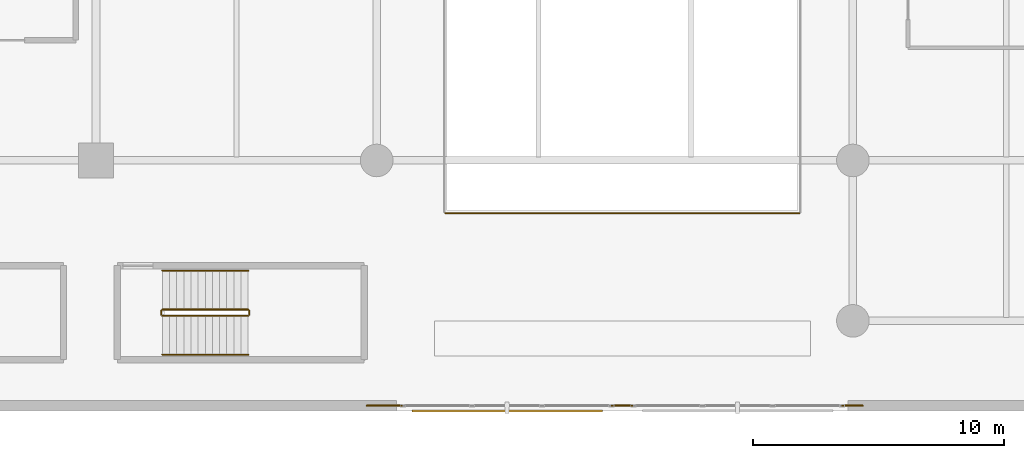
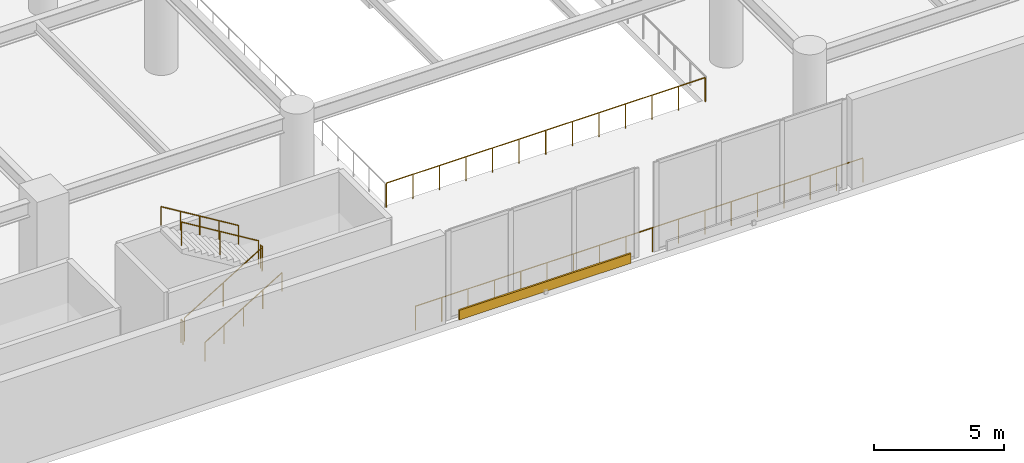
# One storey, part 25 of 32: 8 railings, 1 shading device.
"""IFC4 building model written with IfcOpenShell, lengths in metres."""

from ifc_helpers import new_model, si_unit, direction, frame, origin, origin_2d, place, context, subcontext, project, spatial, rectangle, circle, extrude, material, layer, layer_set, type_object, element, save


model = new_model("IFC4")

# Units and contexts
model_context = context("Model", 3, precision=1e-05, world=origin(), true_north=direction((0.0, 1.0)))
body_context = subcontext(model_context, "Body", "Model", "MODEL_VIEW")
ifc_project = project(units=[si_unit("LENGTHUNIT", "METRE"), si_unit("AREAUNIT", "SQUARE_METRE"), si_unit("VOLUMEUNIT", "CUBIC_METRE"), si_unit("PLANEANGLEUNIT", "RADIAN"), si_unit("MASSUNIT", "GRAM", prefix="KILO")], contexts=[model_context])

# Site, building, storey
site_placement = place(None, origin())
site = spatial("IfcSite", under=ifc_project, at=site_placement, CompositionType="ELEMENT")
building_placement = place(site_placement, origin())
building = spatial("IfcBuilding", under=site, at=building_placement, Name="Narakoshi Arena Tower", CompositionType="ELEMENT")
storey_placement = place(building_placement, frame((0.0, 0.0, 4.5)))
storey = spatial("IfcBuildingStorey", under=building, at=storey_placement, Name="L01", CompositionType="ELEMENT", Elevation=4.5)

# Railings
ifc_material_1 = material(Name="Clear low-iron laminated structural glass", Category="glass")
railing_type_1 = type_object("IfcRailingType", Name="RL-BAL-1100", PredefinedType="BALUSTRADE", material=ifc_material_1)
railing_1_placement = place(storey_placement, frame((42.64990234375, 3.800048828125, 0.173095703125)))
element("IfcRailing", 1, at=railing_1_placement, inside=storey, type_object=railing_type_1, Name="L01 AST4 stair guard 1", PredefinedType="BALUSTRADE", context=body_context, shape_type="SweptSolid", body=[
    extrude(circle(Radius=0.02392578125, at=origin_2d()), frame((0.0, 0.0, 1.09619140625), z_axis=(0.854745945586, 0.0, 0.519046595696), x_axis=(0.0, 1.0, 0.0)), (0.0, 0.0, 1.0), 4.00146484375),
    extrude(circle(Radius=0.02099609375, at=origin_2d()), origin(), (0.0, 0.0, 1.0), 1.072021484375),
    extrude(circle(Radius=0.02099609375, at=origin_2d()), frame((1.7099609375, 0.0, 1.03857421875)), (0.0, 0.0, 1.0), 1.072021484375),
    extrude(circle(Radius=0.02099609375, at=origin_2d()), frame((3.420166015625, 0.0, 2.076904296875)), (0.0, 0.0, 1.0), 1.072021484375),
])
railing_2_placement = place(storey_placement, frame((46.1201171875, 3.85009765625, 2.25)))
element("IfcRailing", 2, at=railing_2_placement, inside=storey, type_object=railing_type_1, Name="L01 AST4 stair guard 2", PredefinedType="BALUSTRADE", context=body_context, shape_type="SweptSolid", body=[
    extrude(circle(Radius=0.02392578125, at=origin_2d()), frame((0.0, 0.0, 1.09619140625), z_axis=(0.0, 1.0, 0.0), x_axis=(-1.0, 0.0, 0.0)), (0.0, 0.0, 1.0), 0.14990234375),
    extrude(circle(Radius=0.02099609375, at=origin_2d()), origin(), (0.0, 0.0, 1.0), 1.072021484375),
    extrude(circle(Radius=0.02099609375, at=origin_2d()), frame((0.0, 0.14990234375, 0.0)), (0.0, 0.0, 1.0), 1.072021484375),
])
railing_3_placement = place(storey_placement, frame((46.070068359375, 4.050048828125, 2.423095703125)))
element("IfcRailing", 3, at=railing_3_placement, inside=storey, type_object=railing_type_1, Name="L01 AST4 stair guard 3", PredefinedType="BALUSTRADE", context=body_context, shape_type="SweptSolid", body=[
    extrude(circle(Radius=0.02392578125, at=origin_2d()), frame((0.0, 0.0, 1.09619140625), z_axis=(-0.854745945586, 0.0, 0.519046595696), x_axis=(0.0, -1.0, 0.0)), (0.0, 0.0, 1.0), 4.00146484375),
    extrude(circle(Radius=0.02099609375, at=origin_2d()), origin(), (0.0, 0.0, 1.0), 1.072021484375),
    extrude(circle(Radius=0.02099609375, at=origin_2d()), frame((-1.7099609375, 0.0, 1.03857421875)), (0.0, 0.0, 1.0), 1.072021484375),
    extrude(circle(Radius=0.02099609375, at=origin_2d()), frame((-3.420166015625, 0.0, 2.076904296875)), (0.0, 0.0, 1.0), 1.072021484375),
])
railing_4_placement = place(storey_placement, frame((42.60009765625, 3.85009765625, 0.0)))
element("IfcRailing", 4, at=railing_4_placement, inside=storey, type_object=railing_type_1, Name="L01 AST4 stair guard 4", PredefinedType="BALUSTRADE", context=body_context, shape_type="SweptSolid", body=[
    extrude(circle(Radius=0.02392578125, at=origin_2d()), frame((0.0, 0.0, 1.09619140625), z_axis=(0.0, 1.0, 0.0), x_axis=(-1.0, 0.0, 0.0)), (0.0, 0.0, 1.0), 0.14990234375),
    extrude(circle(Radius=0.02099609375, at=origin_2d()), origin(), (0.0, 0.0, 1.0), 1.072021484375),
    extrude(circle(Radius=0.02099609375, at=origin_2d()), frame((0.0, 0.14990234375, 0.0)), (0.0, 0.0, 1.0), 1.072021484375),
])
ifc_material_2 = material(Name="Brushed bronze stainless steel", Category="steel")
railing_type_2 = type_object("IfcRailingType", Name="RL-GRD-1150", PredefinedType="GUARDRAIL", material=ifc_material_2)
railing_5_placement = place(storey_placement, frame((50.800048828125, 0.219970703125, 0.0)))
element("IfcRailing", 5, at=railing_5_placement, inside=storey, type_object=railing_type_2, Name="L01 Concourse Portal Sill Guardrail PS", PredefinedType="GUARDRAIL", context=body_context, shape_type="SweptSolid", body=[
    extrude(circle(Radius=0.02392578125, at=origin_2d()), frame((0.0, 0.0, 1.1259765625), z_axis=(1.0, 0.0, 0.0), x_axis=(0.0, 1.0, 0.0)), (0.0, 0.0, 1.0), 19.800048828125),
    extrude(circle(Radius=0.02099609375, at=origin_2d()), origin(), (0.0, 0.0, 1.0), 1.101806640625),
    extrude(circle(Radius=0.02099609375, at=origin_2d()), frame((1.164794921875, 0.0, 0.0)), (0.0, 0.0, 1.0), 1.101806640625),
    extrude(circle(Radius=0.02099609375, at=origin_2d()), frame((2.329345703125, 0.0, 0.0)), (0.0, 0.0, 1.0), 1.101806640625),
    extrude(circle(Radius=0.02099609375, at=origin_2d()), frame((3.494140625, 0.0, 0.0)), (0.0, 0.0, 1.0), 1.101806640625),
    extrude(circle(Radius=0.02099609375, at=origin_2d()), frame((4.658935546875, 0.0, 0.0)), (0.0, 0.0, 1.0), 1.101806640625),
    extrude(circle(Radius=0.02099609375, at=origin_2d()), frame((5.823486328125, 0.0, 0.0)), (0.0, 0.0, 1.0), 1.101806640625),
    extrude(circle(Radius=0.02099609375, at=origin_2d()), frame((6.98828125, 0.0, 0.0)), (0.0, 0.0, 1.0), 1.101806640625),
    extrude(circle(Radius=0.02099609375, at=origin_2d()), frame((8.153076171875, 0.0, 0.0)), (0.0, 0.0, 1.0), 1.101806640625),
    extrude(circle(Radius=0.02099609375, at=origin_2d()), frame((9.317626953125, 0.0, 0.0)), (0.0, 0.0, 1.0), 1.101806640625),
    extrude(circle(Radius=0.02099609375, at=origin_2d()), frame((10.482421875, 0.0, 0.0)), (0.0, 0.0, 1.0), 1.101806640625),
    extrude(circle(Radius=0.02099609375, at=origin_2d()), frame((11.64697265625, 0.0, 0.0)), (0.0, 0.0, 1.0), 1.101806640625),
    extrude(circle(Radius=0.02099609375, at=origin_2d()), frame((12.811767578125, 0.0, 0.0)), (0.0, 0.0, 1.0), 1.101806640625),
    extrude(circle(Radius=0.02099609375, at=origin_2d()), frame((13.9765625, 0.0, 0.0)), (0.0, 0.0, 1.0), 1.101806640625),
    extrude(circle(Radius=0.02099609375, at=origin_2d()), frame((15.14111328125, 0.0, 0.0)), (0.0, 0.0, 1.0), 1.101806640625),
    extrude(circle(Radius=0.02099609375, at=origin_2d()), frame((16.305908203125, 0.0, 0.0)), (0.0, 0.0, 1.0), 1.101806640625),
    extrude(circle(Radius=0.02099609375, at=origin_2d()), frame((17.470703125, 0.0, 0.0)), (0.0, 0.0, 1.0), 1.101806640625),
    extrude(circle(Radius=0.02099609375, at=origin_2d()), frame((18.63525390625, 0.0, 0.0)), (0.0, 0.0, 1.0), 1.101806640625),
    extrude(circle(Radius=0.02099609375, at=origin_2d()), frame((19.800048828125, 0.0, 0.0)), (0.0, 0.0, 1.0), 1.101806640625),
])
railing_6_placement = place(storey_placement, frame((53.93994140625, 7.89990234375, 0.0)))
element("IfcRailing", 6, at=railing_6_placement, inside=storey, type_object=railing_type_2, Name="L01 Upper Street Concourse Gallery Void Guardrail 1", PredefinedType="GUARDRAIL", context=body_context, shape_type="SweptSolid", body=[
    extrude(circle(Radius=0.02392578125, at=origin_2d()), frame((0.0, 0.0, 1.1259765625), z_axis=(1.0, 0.0, 0.0), x_axis=(0.0, 1.0, 0.0)), (0.0, 0.0, 1.0), 14.1201171875),
    extrude(circle(Radius=0.02099609375, at=origin_2d()), origin(), (0.0, 0.0, 1.0), 1.101806640625),
    extrude(circle(Radius=0.02099609375, at=origin_2d()), frame((1.1767578125, 0.0, 0.0)), (0.0, 0.0, 1.0), 1.101806640625),
    extrude(circle(Radius=0.02099609375, at=origin_2d()), frame((2.353271484375, 0.0, 0.0)), (0.0, 0.0, 1.0), 1.101806640625),
    extrude(circle(Radius=0.02099609375, at=origin_2d()), frame((3.530029296875, 0.0, 0.0)), (0.0, 0.0, 1.0), 1.101806640625),
    extrude(circle(Radius=0.02099609375, at=origin_2d()), frame((4.706787109375, 0.0, 0.0)), (0.0, 0.0, 1.0), 1.101806640625),
    extrude(circle(Radius=0.02099609375, at=origin_2d()), frame((5.88330078125, 0.0, 0.0)), (0.0, 0.0, 1.0), 1.101806640625),
    extrude(circle(Radius=0.02099609375, at=origin_2d()), frame((7.06005859375, 0.0, 0.0)), (0.0, 0.0, 1.0), 1.101806640625),
    extrude(circle(Radius=0.02099609375, at=origin_2d()), frame((8.23681640625, 0.0, 0.0)), (0.0, 0.0, 1.0), 1.101806640625),
    extrude(circle(Radius=0.02099609375, at=origin_2d()), frame((9.413330078125, 0.0, 0.0)), (0.0, 0.0, 1.0), 1.101806640625),
    extrude(circle(Radius=0.02099609375, at=origin_2d()), frame((10.590087890625, 0.0, 0.0)), (0.0, 0.0, 1.0), 1.101806640625),
    extrude(circle(Radius=0.02099609375, at=origin_2d()), frame((11.766845703125, 0.0, 0.0)), (0.0, 0.0, 1.0), 1.101806640625),
    extrude(circle(Radius=0.02099609375, at=origin_2d()), frame((12.943359375, 0.0, 0.0)), (0.0, 0.0, 1.0), 1.101806640625),
    extrude(circle(Radius=0.02099609375, at=origin_2d()), frame((14.1201171875, 0.0, 0.0)), (0.0, 0.0, 1.0), 1.101806640625),
])
railing_type_3 = type_object("IfcRailingType", Name="RL-HND-900", PredefinedType="HANDRAIL", material=ifc_material_2)
railing_7_placement = place(storey_placement, frame((42.64990234375, 2.25, 0.173095703125)))
element("IfcRailing", 7, at=railing_7_placement, inside=storey, type_object=railing_type_3, Name="L01 AST4 stair handrail 1", PredefinedType="HANDRAIL", context=body_context, shape_type="SweptSolid", body=[
    extrude(circle(Radius=0.02392578125, at=origin_2d()), frame((0.0, 0.0, 0.8759765625), z_axis=(0.854745945586, 0.0, 0.519046595696), x_axis=(0.0, 1.0, 0.0)), (0.0, 0.0, 1.0), 4.00146484375),
    extrude(circle(Radius=0.02099609375, at=origin_2d()), origin(), (0.0, 0.0, 1.0), 0.851806640625),
    extrude(circle(Radius=0.02099609375, at=origin_2d()), frame((0.85498046875, 0.0, 0.519287109375)), (0.0, 0.0, 1.0), 0.851806640625),
    extrude(circle(Radius=0.02099609375, at=origin_2d()), frame((1.7099609375, 0.0, 1.03857421875)), (0.0, 0.0, 1.0), 0.851806640625),
    extrude(circle(Radius=0.02099609375, at=origin_2d()), frame((2.565185546875, 0.0, 1.5576171875)), (0.0, 0.0, 1.0), 0.851806640625),
    extrude(circle(Radius=0.02099609375, at=origin_2d()), frame((3.420166015625, 0.0, 2.076904296875)), (0.0, 0.0, 1.0), 0.851806640625),
])
railing_8_placement = place(storey_placement, frame((46.070068359375, 5.60009765625, 2.423095703125)))
element("IfcRailing", 8, at=railing_8_placement, inside=storey, type_object=railing_type_3, Name="L01 AST4 stair handrail 2", PredefinedType="HANDRAIL", context=body_context, shape_type="SweptSolid", body=[
    extrude(circle(Radius=0.02392578125, at=origin_2d()), frame((0.0, 0.0, 0.8759765625), z_axis=(-0.854745945586, 0.0, 0.519046595696), x_axis=(0.0, -1.0, 0.0)), (0.0, 0.0, 1.0), 4.00146484375),
    extrude(circle(Radius=0.02099609375, at=origin_2d()), origin(), (0.0, 0.0, 1.0), 0.851806640625),
    extrude(circle(Radius=0.02099609375, at=origin_2d()), frame((-0.85498046875, 0.0, 0.519287109375)), (0.0, 0.0, 1.0), 0.851806640625),
    extrude(circle(Radius=0.02099609375, at=origin_2d()), frame((-1.7099609375, 0.0, 1.03857421875)), (0.0, 0.0, 1.0), 0.851806640625),
    extrude(circle(Radius=0.02099609375, at=origin_2d()), frame((-2.565185546875, 0.0, 1.5576171875)), (0.0, 0.0, 1.0), 0.851806640625),
    extrude(circle(Radius=0.02099609375, at=origin_2d()), frame((-3.420166015625, 0.0, 2.076904296875)), (0.0, 0.0, 1.0), 0.851806640625),
])

# Shading device
ifc_material_3 = material(Name="Anodised bronze aluminium 6063-T6", Category="aluminium")
ifc_layer = layer(ifc_material_3, 0.080078125)
ifc_layer_set = layer_set([ifc_layer], Name="Anodised bronze aluminium 6063-T6")
shading_device_type = type_object("IfcShadingDeviceType", Name="SHD-SUN-CONC", PredefinedType="SHUTTER", material=ifc_layer_set)
shading_device_placement = place(storey_placement, frame((56.39990234375, 0.010009765625, 0.0), z_axis=(0.0, 0.0, 1.0), x_axis=(1.0, 0.0, 0.0)))
element("IfcShadingDevice", 9, at=shading_device_placement, inside=storey, type_object=shading_device_type, Name="L01 Concourse Horizontal Sunshade CS1", PredefinedType="SHUTTER", context=body_context, shape_type="SweptSolid", body=[
    extrude(rectangle(XDim=7.60009765625, YDim=0.080078125, at=origin_2d()), origin(), (0.0, 0.0, 1.0), 0.449951171875),
])

save(model, "model.ifc")
